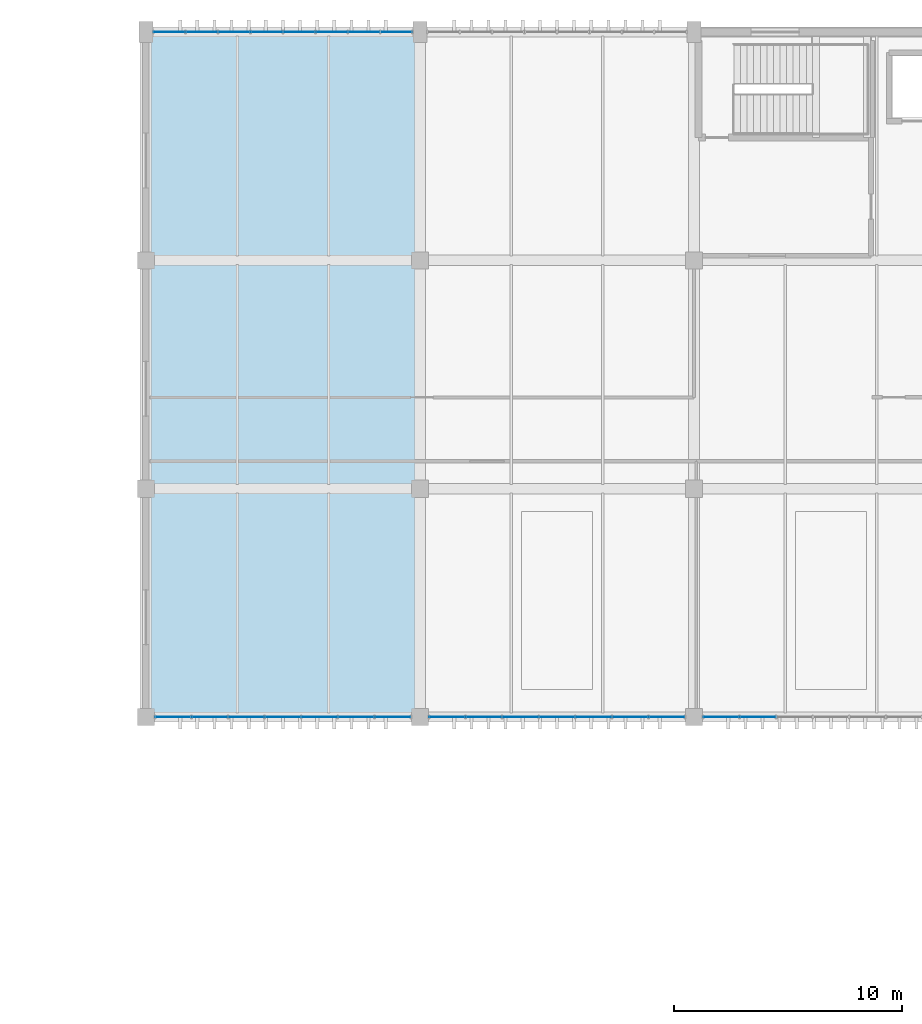
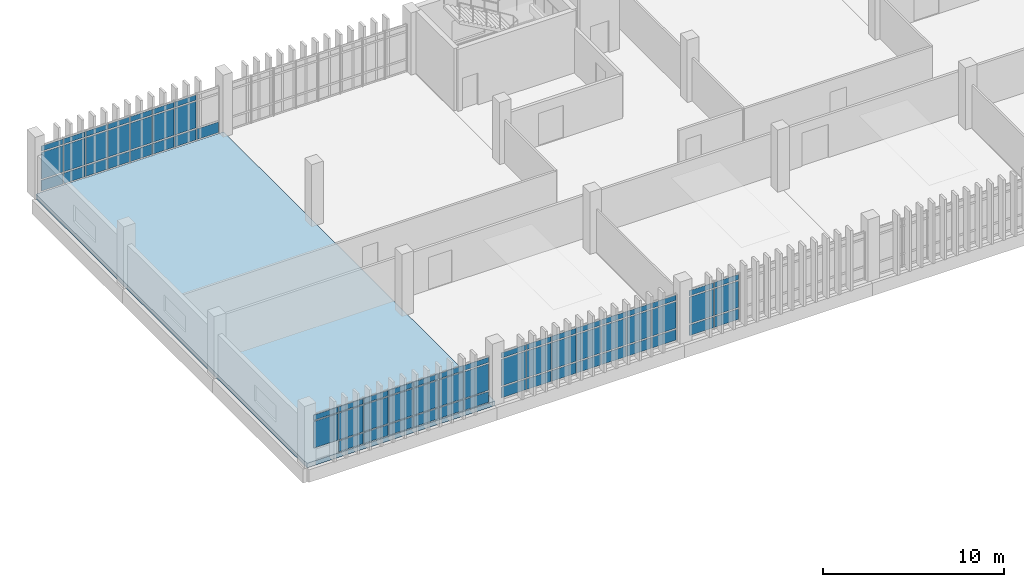
# One storey, part 93 of 111: 69 plates, 1 slab, 4 elements without a shape of their own.
"""IFC4 building model written with IfcOpenShell, lengths in metres."""

from ifc_helpers import new_model, si_unit, direction, frame, origin, origin_2d, place, context, subcontext, project, spatial, polyline, rectangle, outline, extrude, material, layer, layer_set, type_object, element, aggregate, save


model = new_model("IFC4")

# Units and contexts
model_context = context("Model", 3, precision=1e-05, world=origin(), true_north=direction((0.0, 1.0)))
body_context = subcontext(model_context, "Body", "Model", "MODEL_VIEW")
ifc_project = project(units=[si_unit("LENGTHUNIT", "METRE"), si_unit("AREAUNIT", "SQUARE_METRE"), si_unit("VOLUMEUNIT", "CUBIC_METRE"), si_unit("PLANEANGLEUNIT", "RADIAN"), si_unit("MASSUNIT", "GRAM", prefix="KILO")], contexts=[model_context])

# Site, building, storey
site_placement = place(None, origin())
site = spatial("IfcSite", under=ifc_project, at=site_placement, CompositionType="ELEMENT")
building_placement = place(site_placement, origin())
building = spatial("IfcBuilding", under=site, at=building_placement, Name="Mersad Railyard Sports Hall", CompositionType="ELEMENT")
storey_placement = place(building_placement, frame((0.0, 0.0, 9.0)))
storey = spatial("IfcBuildingStorey", under=building, at=storey_placement, Name="L02", CompositionType="ELEMENT", Elevation=9.0)

# Curtain wall, plates
ifc_material_1 = material(Name="Aluminium 6063-T6", Category="aluminium")
ifc_layer_1 = layer(ifc_material_1, 0.159912109375)
ifc_layer_set_1 = layer_set([ifc_layer_1], Name="Aluminium 6063-T6")
curtain_wall_type_1 = type_object("IfcCurtainWallType", Name="ARC-CW-CW52", PredefinedType="USERDEFINED", material=ifc_layer_set_1)
curtain_wall_1_placement = place(storey_placement, origin())
curtain_wall_1 = element("IfcCurtainWall", 1, at=curtain_wall_1_placement, inside=storey, type_object=curtain_wall_type_1, Name="Curtain wall CW52-0138", ObjectType="CURTAIN WALL", PredefinedType="USERDEFINED")
ifc_material_2 = material(Name="Solar-control glass", Category="glass")
ifc_layer_2 = layer(ifc_material_2, 0.028076171875)
ifc_layer_set_2 = layer_set([ifc_layer_2], Name="Solar-control glass")
plate_type = type_object("IfcPlateType", Name="ARC-CW-PNL01", PredefinedType="CURTAIN_PANEL", material=ifc_layer_set_2)
plate_1_placement = place(storey_placement, frame((44.030029296875, 115.0, 0.0849609375), z_axis=(0.0, 0.0, 1.0), x_axis=(1.0, 0.0, 0.0)))
plate_1 = element("IfcPlate", 2, at=plate_1_placement, type_object=plate_type, Name="CW52 Glazed panel 1-1", PredefinedType="CURTAIN_PANEL", context=body_context, shape_type="SweptSolid", body=[
    extrude(rectangle(XDim=1.3759765625, YDim=0.028076171875, at=origin_2d()), origin(), (0.0, 0.0, 1.0), 0.719970703125),
])
plate_2_placement = place(storey_placement, frame((44.030029296875, 115.0, 0.89501953125), z_axis=(0.0, 0.0, 1.0), x_axis=(1.0, 0.0, 0.0)))
plate_2 = element("IfcPlate", 3, at=plate_2_placement, type_object=plate_type, Name="CW52 Glazed panel 1-2", PredefinedType="CURTAIN_PANEL", context=body_context, shape_type="SweptSolid", body=[
    extrude(rectangle(XDim=1.3759765625, YDim=0.028076171875, at=origin_2d()), origin(), (0.0, 0.0, 1.0), 1.7900390625),
])
plate_3_placement = place(storey_placement, frame((44.030029296875, 115.0, 2.77490234375), z_axis=(0.0, 0.0, 1.0), x_axis=(1.0, 0.0, 0.0)))
plate_3 = element("IfcPlate", 4, at=plate_3_placement, type_object=plate_type, Name="CW52 Glazed panel 1-3", PredefinedType="CURTAIN_PANEL", context=body_context, shape_type="SweptSolid", body=[
    extrude(rectangle(XDim=1.3759765625, YDim=0.028076171875, at=origin_2d()), origin(), (0.0, 0.0, 1.0), 0.35009765625),
])
plate_4_placement = place(storey_placement, frame((45.449951171875, 115.0, 0.0849609375), z_axis=(0.0, 0.0, 1.0), x_axis=(1.0, 0.0, 0.0)))
plate_4 = element("IfcPlate", 5, at=plate_4_placement, type_object=plate_type, Name="CW52 Glazed panel 2-1", PredefinedType="CURTAIN_PANEL", context=body_context, shape_type="SweptSolid", body=[
    extrude(rectangle(XDim=1.3759765625, YDim=0.028076171875, at=origin_2d()), origin(), (0.0, 0.0, 1.0), 0.719970703125),
])
plate_5_placement = place(storey_placement, frame((45.449951171875, 115.0, 0.89501953125), z_axis=(0.0, 0.0, 1.0), x_axis=(1.0, 0.0, 0.0)))
plate_5 = element("IfcPlate", 6, at=plate_5_placement, type_object=plate_type, Name="CW52 Glazed panel 2-2", PredefinedType="CURTAIN_PANEL", context=body_context, shape_type="SweptSolid", body=[
    extrude(rectangle(XDim=1.3759765625, YDim=0.028076171875, at=origin_2d()), origin(), (0.0, 0.0, 1.0), 1.7900390625),
])
plate_6_placement = place(storey_placement, frame((45.449951171875, 115.0, 2.77490234375), z_axis=(0.0, 0.0, 1.0), x_axis=(1.0, 0.0, 0.0)))
plate_6 = element("IfcPlate", 7, at=plate_6_placement, type_object=plate_type, Name="CW52 Glazed panel 2-3", PredefinedType="CURTAIN_PANEL", context=body_context, shape_type="SweptSolid", body=[
    extrude(rectangle(XDim=1.3759765625, YDim=0.028076171875, at=origin_2d()), origin(), (0.0, 0.0, 1.0), 0.35009765625),
])
plate_7_placement = place(storey_placement, frame((46.8701171875, 115.0, 0.0849609375), z_axis=(0.0, 0.0, 1.0), x_axis=(1.0, 0.0, 0.0)))
plate_7 = element("IfcPlate", 8, at=plate_7_placement, type_object=plate_type, Name="CW52 Glazed panel 3-1", PredefinedType="CURTAIN_PANEL", context=body_context, shape_type="SweptSolid", body=[
    extrude(rectangle(XDim=1.3759765625, YDim=0.028076171875, at=origin_2d()), origin(), (0.0, 0.0, 1.0), 0.719970703125),
])
plate_8_placement = place(storey_placement, frame((46.8701171875, 115.0, 0.89501953125), z_axis=(0.0, 0.0, 1.0), x_axis=(1.0, 0.0, 0.0)))
plate_8 = element("IfcPlate", 9, at=plate_8_placement, type_object=plate_type, Name="CW52 Glazed panel 3-2", PredefinedType="CURTAIN_PANEL", context=body_context, shape_type="SweptSolid", body=[
    extrude(rectangle(XDim=1.3759765625, YDim=0.028076171875, at=origin_2d()), origin(), (0.0, 0.0, 1.0), 1.7900390625),
])
plate_9_placement = place(storey_placement, frame((46.8701171875, 115.0, 2.77490234375), z_axis=(0.0, 0.0, 1.0), x_axis=(1.0, 0.0, 0.0)))
plate_9 = element("IfcPlate", 10, at=plate_9_placement, type_object=plate_type, Name="CW52 Glazed panel 3-3", PredefinedType="CURTAIN_PANEL", context=body_context, shape_type="SweptSolid", body=[
    extrude(rectangle(XDim=1.3759765625, YDim=0.028076171875, at=origin_2d()), origin(), (0.0, 0.0, 1.0), 0.35009765625),
])
plate_10_placement = place(storey_placement, frame((48.2900390625, 115.0, 0.0849609375), z_axis=(0.0, 0.0, 1.0), x_axis=(1.0, 0.0, 0.0)))
plate_10 = element("IfcPlate", 11, at=plate_10_placement, type_object=plate_type, Name="CW52 Glazed panel 4-1", PredefinedType="CURTAIN_PANEL", context=body_context, shape_type="SweptSolid", body=[
    extrude(rectangle(XDim=1.3759765625, YDim=0.028076171875, at=origin_2d()), origin(), (0.0, 0.0, 1.0), 0.719970703125),
])
plate_11_placement = place(storey_placement, frame((48.2900390625, 115.0, 0.89501953125), z_axis=(0.0, 0.0, 1.0), x_axis=(1.0, 0.0, 0.0)))
plate_11 = element("IfcPlate", 12, at=plate_11_placement, type_object=plate_type, Name="CW52 Glazed panel 4-2", PredefinedType="CURTAIN_PANEL", context=body_context, shape_type="SweptSolid", body=[
    extrude(rectangle(XDim=1.3759765625, YDim=0.028076171875, at=origin_2d()), origin(), (0.0, 0.0, 1.0), 1.7900390625),
])
plate_12_placement = place(storey_placement, frame((48.2900390625, 115.0, 2.77490234375), z_axis=(0.0, 0.0, 1.0), x_axis=(1.0, 0.0, 0.0)))
plate_12 = element("IfcPlate", 13, at=plate_12_placement, type_object=plate_type, Name="CW52 Glazed panel 4-3", PredefinedType="CURTAIN_PANEL", context=body_context, shape_type="SweptSolid", body=[
    extrude(rectangle(XDim=1.3759765625, YDim=0.028076171875, at=origin_2d()), origin(), (0.0, 0.0, 1.0), 0.35009765625),
])
plate_13_placement = place(storey_placement, frame((49.7099609375, 115.0, 0.0849609375), z_axis=(0.0, 0.0, 1.0), x_axis=(1.0, 0.0, 0.0)))
plate_13 = element("IfcPlate", 14, at=plate_13_placement, type_object=plate_type, Name="CW52 Glazed panel 5-1", PredefinedType="CURTAIN_PANEL", context=body_context, shape_type="SweptSolid", body=[
    extrude(rectangle(XDim=1.3759765625, YDim=0.028076171875, at=origin_2d()), origin(), (0.0, 0.0, 1.0), 0.719970703125),
])
plate_14_placement = place(storey_placement, frame((49.7099609375, 115.0, 0.89501953125), z_axis=(0.0, 0.0, 1.0), x_axis=(1.0, 0.0, 0.0)))
plate_14 = element("IfcPlate", 15, at=plate_14_placement, type_object=plate_type, Name="CW52 Glazed panel 5-2", PredefinedType="CURTAIN_PANEL", context=body_context, shape_type="SweptSolid", body=[
    extrude(rectangle(XDim=1.3759765625, YDim=0.028076171875, at=origin_2d()), origin(), (0.0, 0.0, 1.0), 1.7900390625),
])
plate_15_placement = place(storey_placement, frame((49.7099609375, 115.0, 2.77490234375), z_axis=(0.0, 0.0, 1.0), x_axis=(1.0, 0.0, 0.0)))
plate_15 = element("IfcPlate", 16, at=plate_15_placement, type_object=plate_type, Name="CW52 Glazed panel 5-3", PredefinedType="CURTAIN_PANEL", context=body_context, shape_type="SweptSolid", body=[
    extrude(rectangle(XDim=1.3759765625, YDim=0.028076171875, at=origin_2d()), origin(), (0.0, 0.0, 1.0), 0.35009765625),
])
plate_16_placement = place(storey_placement, frame((51.1298828125, 115.0, 0.0849609375), z_axis=(0.0, 0.0, 1.0), x_axis=(1.0, 0.0, 0.0)))
plate_16 = element("IfcPlate", 17, at=plate_16_placement, type_object=plate_type, Name="CW52 Glazed panel 6-1", PredefinedType="CURTAIN_PANEL", context=body_context, shape_type="SweptSolid", body=[
    extrude(rectangle(XDim=1.3759765625, YDim=0.028076171875, at=origin_2d()), origin(), (0.0, 0.0, 1.0), 0.719970703125),
])
plate_17_placement = place(storey_placement, frame((51.1298828125, 115.0, 0.89501953125), z_axis=(0.0, 0.0, 1.0), x_axis=(1.0, 0.0, 0.0)))
plate_17 = element("IfcPlate", 18, at=plate_17_placement, type_object=plate_type, Name="CW52 Glazed panel 6-2", PredefinedType="CURTAIN_PANEL", context=body_context, shape_type="SweptSolid", body=[
    extrude(rectangle(XDim=1.3759765625, YDim=0.028076171875, at=origin_2d()), origin(), (0.0, 0.0, 1.0), 1.7900390625),
])
plate_18_placement = place(storey_placement, frame((51.1298828125, 115.0, 2.77490234375), z_axis=(0.0, 0.0, 1.0), x_axis=(1.0, 0.0, 0.0)))
plate_18 = element("IfcPlate", 19, at=plate_18_placement, type_object=plate_type, Name="CW52 Glazed panel 6-3", PredefinedType="CURTAIN_PANEL", context=body_context, shape_type="SweptSolid", body=[
    extrude(rectangle(XDim=1.3759765625, YDim=0.028076171875, at=origin_2d()), origin(), (0.0, 0.0, 1.0), 0.35009765625),
])
plate_19_placement = place(storey_placement, frame((52.550048828125, 115.0, 0.0849609375), z_axis=(0.0, 0.0, 1.0), x_axis=(1.0, 0.0, 0.0)))
plate_19 = element("IfcPlate", 20, at=plate_19_placement, type_object=plate_type, Name="CW52 Glazed panel 7-1", PredefinedType="CURTAIN_PANEL", context=body_context, shape_type="SweptSolid", body=[
    extrude(rectangle(XDim=1.3759765625, YDim=0.028076171875, at=origin_2d()), origin(), (0.0, 0.0, 1.0), 0.719970703125),
])
plate_20_placement = place(storey_placement, frame((52.550048828125, 115.0, 0.89501953125), z_axis=(0.0, 0.0, 1.0), x_axis=(1.0, 0.0, 0.0)))
plate_20 = element("IfcPlate", 21, at=plate_20_placement, type_object=plate_type, Name="CW52 Glazed panel 7-2", PredefinedType="CURTAIN_PANEL", context=body_context, shape_type="SweptSolid", body=[
    extrude(rectangle(XDim=1.3759765625, YDim=0.028076171875, at=origin_2d()), origin(), (0.0, 0.0, 1.0), 1.7900390625),
])
plate_21_placement = place(storey_placement, frame((52.550048828125, 115.0, 2.77490234375), z_axis=(0.0, 0.0, 1.0), x_axis=(1.0, 0.0, 0.0)))
plate_21 = element("IfcPlate", 22, at=plate_21_placement, type_object=plate_type, Name="CW52 Glazed panel 7-3", PredefinedType="CURTAIN_PANEL", context=body_context, shape_type="SweptSolid", body=[
    extrude(rectangle(XDim=1.3759765625, YDim=0.028076171875, at=origin_2d()), origin(), (0.0, 0.0, 1.0), 0.35009765625),
])
plate_22_placement = place(storey_placement, frame((53.969970703125, 115.0, 0.0849609375), z_axis=(0.0, 0.0, 1.0), x_axis=(1.0, 0.0, 0.0)))
plate_22 = element("IfcPlate", 23, at=plate_22_placement, type_object=plate_type, Name="CW52 Glazed panel 8-1", PredefinedType="CURTAIN_PANEL", context=body_context, shape_type="SweptSolid", body=[
    extrude(rectangle(XDim=1.3759765625, YDim=0.028076171875, at=origin_2d()), origin(), (0.0, 0.0, 1.0), 0.719970703125),
])
aggregate(curtain_wall_1, [plate_1, plate_2, plate_3, plate_4, plate_5, plate_6, plate_7, plate_8, plate_9, plate_10, plate_11, plate_12, plate_13, plate_14, plate_15, plate_16, plate_17, plate_18, plate_19, plate_20, plate_21, plate_22])

ifc_layer_3 = layer(ifc_material_1, 0.159912109375)
ifc_layer_set_3 = layer_set([ifc_layer_3], Name="Aluminium 6063-T6")
curtain_wall_type_2 = type_object("IfcCurtainWallType", Name="ARC-CW-CW54", PredefinedType="USERDEFINED", material=ifc_layer_set_3)
curtain_wall_2_placement = place(storey_placement, origin())
curtain_wall_2 = element("IfcCurtainWall", 24, at=curtain_wall_2_placement, inside=storey, type_object=curtain_wall_type_2, Name="Curtain wall CW54-0143", ObjectType="CURTAIN WALL", PredefinedType="USERDEFINED")
plate_23_placement = place(storey_placement, frame((53.80419921875, 85.0, 0.0849609375), z_axis=(0.0, 0.0, 1.0), x_axis=(-1.0, 0.0, 0.0)))
plate_23 = element("IfcPlate", 25, at=plate_23_placement, type_object=plate_type, Name="CW54 Glazed panel 1-1", PredefinedType="CURTAIN_PANEL", context=body_context, shape_type="SweptSolid", body=[
    extrude(rectangle(XDim=1.557373046875, YDim=0.028076171875, at=origin_2d()), origin(), (0.0, 0.0, 1.0), 0.719970703125),
])
plate_24_placement = place(storey_placement, frame((53.80419921875, 85.0, 0.89501953125), z_axis=(0.0, 0.0, 1.0), x_axis=(-1.0, 0.0, 0.0)))
plate_24 = element("IfcPlate", 26, at=plate_24_placement, type_object=plate_type, Name="CW54 Glazed panel 1-2", PredefinedType="CURTAIN_PANEL", context=body_context, shape_type="SweptSolid", body=[
    extrude(rectangle(XDim=1.557373046875, YDim=0.028076171875, at=origin_2d()), origin(), (0.0, 0.0, 1.0), 1.7900390625),
])
plate_25_placement = place(storey_placement, frame((53.80419921875, 85.0, 2.77490234375), z_axis=(0.0, 0.0, 1.0), x_axis=(-1.0, 0.0, 0.0)))
plate_25 = element("IfcPlate", 27, at=plate_25_placement, type_object=plate_type, Name="CW54 Glazed panel 1-3", PredefinedType="CURTAIN_PANEL", context=body_context, shape_type="SweptSolid", body=[
    extrude(rectangle(XDim=1.557373046875, YDim=0.028076171875, at=origin_2d()), origin(), (0.0, 0.0, 1.0), 0.35009765625),
])
plate_26_placement = place(storey_placement, frame((52.202880859375, 85.0, 0.0849609375), z_axis=(0.0, 0.0, 1.0), x_axis=(-1.0, 0.0, 0.0)))
plate_26 = element("IfcPlate", 28, at=plate_26_placement, type_object=plate_type, Name="CW54 Glazed panel 2-1", PredefinedType="CURTAIN_PANEL", context=body_context, shape_type="SweptSolid", body=[
    extrude(rectangle(XDim=1.557373046875, YDim=0.028076171875, at=origin_2d()), origin(), (0.0, 0.0, 1.0), 0.719970703125),
])
plate_27_placement = place(storey_placement, frame((52.202880859375, 85.0, 0.89501953125), z_axis=(0.0, 0.0, 1.0), x_axis=(-1.0, 0.0, 0.0)))
plate_27 = element("IfcPlate", 29, at=plate_27_placement, type_object=plate_type, Name="CW54 Glazed panel 2-2", PredefinedType="CURTAIN_PANEL", context=body_context, shape_type="SweptSolid", body=[
    extrude(rectangle(XDim=1.557373046875, YDim=0.028076171875, at=origin_2d()), origin(), (0.0, 0.0, 1.0), 1.7900390625),
])
plate_28_placement = place(storey_placement, frame((52.202880859375, 85.0, 2.77490234375), z_axis=(0.0, 0.0, 1.0), x_axis=(-1.0, 0.0, 0.0)))
plate_28 = element("IfcPlate", 30, at=plate_28_placement, type_object=plate_type, Name="CW54 Glazed panel 2-3", PredefinedType="CURTAIN_PANEL", context=body_context, shape_type="SweptSolid", body=[
    extrude(rectangle(XDim=1.557373046875, YDim=0.028076171875, at=origin_2d()), origin(), (0.0, 0.0, 1.0), 0.35009765625),
])
plate_29_placement = place(storey_placement, frame((50.601318359375, 85.0, 0.0849609375), z_axis=(0.0, 0.0, 1.0), x_axis=(-1.0, 0.0, 0.0)))
plate_29 = element("IfcPlate", 31, at=plate_29_placement, type_object=plate_type, Name="CW54 Glazed panel 3-1", PredefinedType="CURTAIN_PANEL", context=body_context, shape_type="SweptSolid", body=[
    extrude(rectangle(XDim=1.557373046875, YDim=0.028076171875, at=origin_2d()), origin(), (0.0, 0.0, 1.0), 0.719970703125),
])
plate_30_placement = place(storey_placement, frame((50.601318359375, 85.0, 0.89501953125), z_axis=(0.0, 0.0, 1.0), x_axis=(-1.0, 0.0, 0.0)))
plate_30 = element("IfcPlate", 32, at=plate_30_placement, type_object=plate_type, Name="CW54 Glazed panel 3-2", PredefinedType="CURTAIN_PANEL", context=body_context, shape_type="SweptSolid", body=[
    extrude(rectangle(XDim=1.557373046875, YDim=0.028076171875, at=origin_2d()), origin(), (0.0, 0.0, 1.0), 1.7900390625),
])
plate_31_placement = place(storey_placement, frame((50.601318359375, 85.0, 2.77490234375), z_axis=(0.0, 0.0, 1.0), x_axis=(-1.0, 0.0, 0.0)))
plate_31 = element("IfcPlate", 33, at=plate_31_placement, type_object=plate_type, Name="CW54 Glazed panel 3-3", PredefinedType="CURTAIN_PANEL", context=body_context, shape_type="SweptSolid", body=[
    extrude(rectangle(XDim=1.557373046875, YDim=0.028076171875, at=origin_2d()), origin(), (0.0, 0.0, 1.0), 0.35009765625),
])
plate_32_placement = place(storey_placement, frame((49.0, 85.0, 0.0849609375), z_axis=(0.0, 0.0, 1.0), x_axis=(-1.0, 0.0, 0.0)))
plate_32 = element("IfcPlate", 34, at=plate_32_placement, type_object=plate_type, Name="CW54 Glazed panel 4-1", PredefinedType="CURTAIN_PANEL", context=body_context, shape_type="SweptSolid", body=[
    extrude(rectangle(XDim=1.557373046875, YDim=0.028076171875, at=origin_2d()), origin(), (0.0, 0.0, 1.0), 0.719970703125),
])
plate_33_placement = place(storey_placement, frame((49.0, 85.0, 0.89501953125), z_axis=(0.0, 0.0, 1.0), x_axis=(-1.0, 0.0, 0.0)))
plate_33 = element("IfcPlate", 35, at=plate_33_placement, type_object=plate_type, Name="CW54 Glazed panel 4-2", PredefinedType="CURTAIN_PANEL", context=body_context, shape_type="SweptSolid", body=[
    extrude(rectangle(XDim=1.557373046875, YDim=0.028076171875, at=origin_2d()), origin(), (0.0, 0.0, 1.0), 1.7900390625),
])
plate_34_placement = place(storey_placement, frame((49.0, 85.0, 2.77490234375), z_axis=(0.0, 0.0, 1.0), x_axis=(-1.0, 0.0, 0.0)))
plate_34 = element("IfcPlate", 36, at=plate_34_placement, type_object=plate_type, Name="CW54 Glazed panel 4-3", PredefinedType="CURTAIN_PANEL", context=body_context, shape_type="SweptSolid", body=[
    extrude(rectangle(XDim=1.557373046875, YDim=0.028076171875, at=origin_2d()), origin(), (0.0, 0.0, 1.0), 0.35009765625),
])
plate_35_placement = place(storey_placement, frame((47.398681640625, 85.0, 0.0849609375), z_axis=(0.0, 0.0, 1.0), x_axis=(-1.0, 0.0, 0.0)))
plate_35 = element("IfcPlate", 37, at=plate_35_placement, type_object=plate_type, Name="CW54 Glazed panel 5-1", PredefinedType="CURTAIN_PANEL", context=body_context, shape_type="SweptSolid", body=[
    extrude(rectangle(XDim=1.557373046875, YDim=0.028076171875, at=origin_2d()), origin(), (0.0, 0.0, 1.0), 0.719970703125),
])
plate_36_placement = place(storey_placement, frame((47.398681640625, 85.0, 0.89501953125), z_axis=(0.0, 0.0, 1.0), x_axis=(-1.0, 0.0, 0.0)))
plate_36 = element("IfcPlate", 38, at=plate_36_placement, type_object=plate_type, Name="CW54 Glazed panel 5-2", PredefinedType="CURTAIN_PANEL", context=body_context, shape_type="SweptSolid", body=[
    extrude(rectangle(XDim=1.557373046875, YDim=0.028076171875, at=origin_2d()), origin(), (0.0, 0.0, 1.0), 1.7900390625),
])
plate_37_placement = place(storey_placement, frame((47.398681640625, 85.0, 2.77490234375), z_axis=(0.0, 0.0, 1.0), x_axis=(-1.0, 0.0, 0.0)))
plate_37 = element("IfcPlate", 39, at=plate_37_placement, type_object=plate_type, Name="CW54 Glazed panel 5-3", PredefinedType="CURTAIN_PANEL", context=body_context, shape_type="SweptSolid", body=[
    extrude(rectangle(XDim=1.557373046875, YDim=0.028076171875, at=origin_2d()), origin(), (0.0, 0.0, 1.0), 0.35009765625),
])
plate_38_placement = place(storey_placement, frame((45.797119140625, 85.0, 0.0849609375), z_axis=(0.0, 0.0, 1.0), x_axis=(-1.0, 0.0, 0.0)))
plate_38 = element("IfcPlate", 40, at=plate_38_placement, type_object=plate_type, Name="CW54 Glazed panel 6-1", PredefinedType="CURTAIN_PANEL", context=body_context, shape_type="SweptSolid", body=[
    extrude(rectangle(XDim=1.557373046875, YDim=0.028076171875, at=origin_2d()), origin(), (0.0, 0.0, 1.0), 0.719970703125),
])
plate_39_placement = place(storey_placement, frame((45.797119140625, 85.0, 0.89501953125), z_axis=(0.0, 0.0, 1.0), x_axis=(-1.0, 0.0, 0.0)))
plate_39 = element("IfcPlate", 41, at=plate_39_placement, type_object=plate_type, Name="CW54 Glazed panel 6-2", PredefinedType="CURTAIN_PANEL", context=body_context, shape_type="SweptSolid", body=[
    extrude(rectangle(XDim=1.557373046875, YDim=0.028076171875, at=origin_2d()), origin(), (0.0, 0.0, 1.0), 1.7900390625),
])
plate_40_placement = place(storey_placement, frame((45.797119140625, 85.0, 2.77490234375), z_axis=(0.0, 0.0, 1.0), x_axis=(-1.0, 0.0, 0.0)))
plate_40 = element("IfcPlate", 42, at=plate_40_placement, type_object=plate_type, Name="CW54 Glazed panel 6-3", PredefinedType="CURTAIN_PANEL", context=body_context, shape_type="SweptSolid", body=[
    extrude(rectangle(XDim=1.557373046875, YDim=0.028076171875, at=origin_2d()), origin(), (0.0, 0.0, 1.0), 0.35009765625),
])
plate_41_placement = place(storey_placement, frame((44.19580078125, 85.0, 0.89501953125), z_axis=(0.0, 0.0, 1.0), x_axis=(-1.0, 0.0, 0.0)))
plate_41 = element("IfcPlate", 43, at=plate_41_placement, type_object=plate_type, Name="CW54 Glazed panel 7-2", PredefinedType="CURTAIN_PANEL", context=body_context, shape_type="SweptSolid", body=[
    extrude(rectangle(XDim=1.557373046875, YDim=0.028076171875, at=origin_2d()), origin(), (0.0, 0.0, 1.0), 1.7900390625),
])
plate_42_placement = place(storey_placement, frame((44.19580078125, 85.0, 2.77490234375), z_axis=(0.0, 0.0, 1.0), x_axis=(-1.0, 0.0, 0.0)))
plate_42 = element("IfcPlate", 44, at=plate_42_placement, type_object=plate_type, Name="CW54 Glazed panel 7-3", PredefinedType="CURTAIN_PANEL", context=body_context, shape_type="SweptSolid", body=[
    extrude(rectangle(XDim=1.557373046875, YDim=0.028076171875, at=origin_2d()), origin(), (0.0, 0.0, 1.0), 0.35009765625),
])
aggregate(curtain_wall_2, [plate_23, plate_24, plate_25, plate_26, plate_27, plate_28, plate_29, plate_30, plate_31, plate_32, plate_33, plate_34, plate_35, plate_36, plate_37, plate_38, plate_39, plate_40, plate_41, plate_42])

curtain_wall_3_placement = place(storey_placement, origin())
curtain_wall_3 = element("IfcCurtainWall", 45, at=curtain_wall_3_placement, inside=storey, type_object=curtain_wall_type_2, Name="Curtain wall CW54-0144", ObjectType="CURTAIN WALL", PredefinedType="USERDEFINED")
plate_43_placement = place(storey_placement, frame((65.80419921875, 85.0, 0.0849609375), z_axis=(0.0, 0.0, 1.0), x_axis=(-1.0, 0.0, 0.0)))
plate_43 = element("IfcPlate", 46, at=plate_43_placement, type_object=plate_type, Name="CW54 Glazed panel 1-1", PredefinedType="CURTAIN_PANEL", context=body_context, shape_type="SweptSolid", body=[
    extrude(rectangle(XDim=1.557373046875, YDim=0.028076171875, at=origin_2d()), origin(), (0.0, 0.0, 1.0), 0.719970703125),
])
plate_44_placement = place(storey_placement, frame((65.80419921875, 85.0, 0.89501953125), z_axis=(0.0, 0.0, 1.0), x_axis=(-1.0, 0.0, 0.0)))
plate_44 = element("IfcPlate", 47, at=plate_44_placement, type_object=plate_type, Name="CW54 Glazed panel 1-2", PredefinedType="CURTAIN_PANEL", context=body_context, shape_type="SweptSolid", body=[
    extrude(rectangle(XDim=1.557373046875, YDim=0.028076171875, at=origin_2d()), origin(), (0.0, 0.0, 1.0), 1.7900390625),
])
plate_45_placement = place(storey_placement, frame((65.80419921875, 85.0, 2.77490234375), z_axis=(0.0, 0.0, 1.0), x_axis=(-1.0, 0.0, 0.0)))
plate_45 = element("IfcPlate", 48, at=plate_45_placement, type_object=plate_type, Name="CW54 Glazed panel 1-3", PredefinedType="CURTAIN_PANEL", context=body_context, shape_type="SweptSolid", body=[
    extrude(rectangle(XDim=1.557373046875, YDim=0.028076171875, at=origin_2d()), origin(), (0.0, 0.0, 1.0), 0.35009765625),
])
plate_46_placement = place(storey_placement, frame((64.202880859375, 85.0, 0.0849609375), z_axis=(0.0, 0.0, 1.0), x_axis=(-1.0, 0.0, 0.0)))
plate_46 = element("IfcPlate", 49, at=plate_46_placement, type_object=plate_type, Name="CW54 Glazed panel 2-1", PredefinedType="CURTAIN_PANEL", context=body_context, shape_type="SweptSolid", body=[
    extrude(rectangle(XDim=1.557373046875, YDim=0.028076171875, at=origin_2d()), origin(), (0.0, 0.0, 1.0), 0.719970703125),
])
plate_47_placement = place(storey_placement, frame((64.202880859375, 85.0, 0.89501953125), z_axis=(0.0, 0.0, 1.0), x_axis=(-1.0, 0.0, 0.0)))
plate_47 = element("IfcPlate", 50, at=plate_47_placement, type_object=plate_type, Name="CW54 Glazed panel 2-2", PredefinedType="CURTAIN_PANEL", context=body_context, shape_type="SweptSolid", body=[
    extrude(rectangle(XDim=1.557373046875, YDim=0.028076171875, at=origin_2d()), origin(), (0.0, 0.0, 1.0), 1.7900390625),
])
plate_48_placement = place(storey_placement, frame((64.202880859375, 85.0, 2.77490234375), z_axis=(0.0, 0.0, 1.0), x_axis=(-1.0, 0.0, 0.0)))
plate_48 = element("IfcPlate", 51, at=plate_48_placement, type_object=plate_type, Name="CW54 Glazed panel 2-3", PredefinedType="CURTAIN_PANEL", context=body_context, shape_type="SweptSolid", body=[
    extrude(rectangle(XDim=1.557373046875, YDim=0.028076171875, at=origin_2d()), origin(), (0.0, 0.0, 1.0), 0.35009765625),
])
plate_49_placement = place(storey_placement, frame((62.601318359375, 85.0, 0.0849609375), z_axis=(0.0, 0.0, 1.0), x_axis=(-1.0, 0.0, 0.0)))
plate_49 = element("IfcPlate", 52, at=plate_49_placement, type_object=plate_type, Name="CW54 Glazed panel 3-1", PredefinedType="CURTAIN_PANEL", context=body_context, shape_type="SweptSolid", body=[
    extrude(rectangle(XDim=1.557373046875, YDim=0.028076171875, at=origin_2d()), origin(), (0.0, 0.0, 1.0), 0.719970703125),
])
plate_50_placement = place(storey_placement, frame((62.601318359375, 85.0, 0.89501953125), z_axis=(0.0, 0.0, 1.0), x_axis=(-1.0, 0.0, 0.0)))
plate_50 = element("IfcPlate", 53, at=plate_50_placement, type_object=plate_type, Name="CW54 Glazed panel 3-2", PredefinedType="CURTAIN_PANEL", context=body_context, shape_type="SweptSolid", body=[
    extrude(rectangle(XDim=1.557373046875, YDim=0.028076171875, at=origin_2d()), origin(), (0.0, 0.0, 1.0), 1.7900390625),
])
plate_51_placement = place(storey_placement, frame((62.601318359375, 85.0, 2.77490234375), z_axis=(0.0, 0.0, 1.0), x_axis=(-1.0, 0.0, 0.0)))
plate_51 = element("IfcPlate", 54, at=plate_51_placement, type_object=plate_type, Name="CW54 Glazed panel 3-3", PredefinedType="CURTAIN_PANEL", context=body_context, shape_type="SweptSolid", body=[
    extrude(rectangle(XDim=1.557373046875, YDim=0.028076171875, at=origin_2d()), origin(), (0.0, 0.0, 1.0), 0.35009765625),
])
plate_52_placement = place(storey_placement, frame((61.0, 85.0, 0.0849609375), z_axis=(0.0, 0.0, 1.0), x_axis=(-1.0, 0.0, 0.0)))
plate_52 = element("IfcPlate", 55, at=plate_52_placement, type_object=plate_type, Name="CW54 Glazed panel 4-1", PredefinedType="CURTAIN_PANEL", context=body_context, shape_type="SweptSolid", body=[
    extrude(rectangle(XDim=1.557373046875, YDim=0.028076171875, at=origin_2d()), origin(), (0.0, 0.0, 1.0), 0.719970703125),
])
plate_53_placement = place(storey_placement, frame((61.0, 85.0, 0.89501953125), z_axis=(0.0, 0.0, 1.0), x_axis=(-1.0, 0.0, 0.0)))
plate_53 = element("IfcPlate", 56, at=plate_53_placement, type_object=plate_type, Name="CW54 Glazed panel 4-2", PredefinedType="CURTAIN_PANEL", context=body_context, shape_type="SweptSolid", body=[
    extrude(rectangle(XDim=1.557373046875, YDim=0.028076171875, at=origin_2d()), origin(), (0.0, 0.0, 1.0), 1.7900390625),
])
plate_54_placement = place(storey_placement, frame((61.0, 85.0, 2.77490234375), z_axis=(0.0, 0.0, 1.0), x_axis=(-1.0, 0.0, 0.0)))
plate_54 = element("IfcPlate", 57, at=plate_54_placement, type_object=plate_type, Name="CW54 Glazed panel 4-3", PredefinedType="CURTAIN_PANEL", context=body_context, shape_type="SweptSolid", body=[
    extrude(rectangle(XDim=1.557373046875, YDim=0.028076171875, at=origin_2d()), origin(), (0.0, 0.0, 1.0), 0.35009765625),
])
plate_55_placement = place(storey_placement, frame((59.398681640625, 85.0, 0.0849609375), z_axis=(0.0, 0.0, 1.0), x_axis=(-1.0, 0.0, 0.0)))
plate_55 = element("IfcPlate", 58, at=plate_55_placement, type_object=plate_type, Name="CW54 Glazed panel 5-1", PredefinedType="CURTAIN_PANEL", context=body_context, shape_type="SweptSolid", body=[
    extrude(rectangle(XDim=1.557373046875, YDim=0.028076171875, at=origin_2d()), origin(), (0.0, 0.0, 1.0), 0.719970703125),
])
plate_56_placement = place(storey_placement, frame((59.398681640625, 85.0, 0.89501953125), z_axis=(0.0, 0.0, 1.0), x_axis=(-1.0, 0.0, 0.0)))
plate_56 = element("IfcPlate", 59, at=plate_56_placement, type_object=plate_type, Name="CW54 Glazed panel 5-2", PredefinedType="CURTAIN_PANEL", context=body_context, shape_type="SweptSolid", body=[
    extrude(rectangle(XDim=1.557373046875, YDim=0.028076171875, at=origin_2d()), origin(), (0.0, 0.0, 1.0), 1.7900390625),
])
plate_57_placement = place(storey_placement, frame((59.398681640625, 85.0, 2.77490234375), z_axis=(0.0, 0.0, 1.0), x_axis=(-1.0, 0.0, 0.0)))
plate_57 = element("IfcPlate", 60, at=plate_57_placement, type_object=plate_type, Name="CW54 Glazed panel 5-3", PredefinedType="CURTAIN_PANEL", context=body_context, shape_type="SweptSolid", body=[
    extrude(rectangle(XDim=1.557373046875, YDim=0.028076171875, at=origin_2d()), origin(), (0.0, 0.0, 1.0), 0.35009765625),
])
plate_58_placement = place(storey_placement, frame((57.797119140625, 85.0, 0.0849609375), z_axis=(0.0, 0.0, 1.0), x_axis=(-1.0, 0.0, 0.0)))
plate_58 = element("IfcPlate", 61, at=plate_58_placement, type_object=plate_type, Name="CW54 Glazed panel 6-1", PredefinedType="CURTAIN_PANEL", context=body_context, shape_type="SweptSolid", body=[
    extrude(rectangle(XDim=1.557373046875, YDim=0.028076171875, at=origin_2d()), origin(), (0.0, 0.0, 1.0), 0.719970703125),
])
plate_59_placement = place(storey_placement, frame((57.797119140625, 85.0, 0.89501953125), z_axis=(0.0, 0.0, 1.0), x_axis=(-1.0, 0.0, 0.0)))
plate_59 = element("IfcPlate", 62, at=plate_59_placement, type_object=plate_type, Name="CW54 Glazed panel 6-2", PredefinedType="CURTAIN_PANEL", context=body_context, shape_type="SweptSolid", body=[
    extrude(rectangle(XDim=1.557373046875, YDim=0.028076171875, at=origin_2d()), origin(), (0.0, 0.0, 1.0), 1.7900390625),
])
plate_60_placement = place(storey_placement, frame((57.797119140625, 85.0, 2.77490234375), z_axis=(0.0, 0.0, 1.0), x_axis=(-1.0, 0.0, 0.0)))
plate_60 = element("IfcPlate", 63, at=plate_60_placement, type_object=plate_type, Name="CW54 Glazed panel 6-3", PredefinedType="CURTAIN_PANEL", context=body_context, shape_type="SweptSolid", body=[
    extrude(rectangle(XDim=1.557373046875, YDim=0.028076171875, at=origin_2d()), origin(), (0.0, 0.0, 1.0), 0.35009765625),
])
plate_61_placement = place(storey_placement, frame((56.19580078125, 85.0, 0.0849609375), z_axis=(0.0, 0.0, 1.0), x_axis=(-1.0, 0.0, 0.0)))
plate_61 = element("IfcPlate", 64, at=plate_61_placement, type_object=plate_type, Name="CW54 Glazed panel 7-1", PredefinedType="CURTAIN_PANEL", context=body_context, shape_type="SweptSolid", body=[
    extrude(rectangle(XDim=1.557373046875, YDim=0.028076171875, at=origin_2d()), origin(), (0.0, 0.0, 1.0), 0.719970703125),
])
plate_62_placement = place(storey_placement, frame((56.19580078125, 85.0, 0.89501953125), z_axis=(0.0, 0.0, 1.0), x_axis=(-1.0, 0.0, 0.0)))
plate_62 = element("IfcPlate", 65, at=plate_62_placement, type_object=plate_type, Name="CW54 Glazed panel 7-2", PredefinedType="CURTAIN_PANEL", context=body_context, shape_type="SweptSolid", body=[
    extrude(rectangle(XDim=1.557373046875, YDim=0.028076171875, at=origin_2d()), origin(), (0.0, 0.0, 1.0), 1.7900390625),
])
plate_63_placement = place(storey_placement, frame((56.19580078125, 85.0, 2.77490234375), z_axis=(0.0, 0.0, 1.0), x_axis=(-1.0, 0.0, 0.0)))
plate_63 = element("IfcPlate", 66, at=plate_63_placement, type_object=plate_type, Name="CW54 Glazed panel 7-3", PredefinedType="CURTAIN_PANEL", context=body_context, shape_type="SweptSolid", body=[
    extrude(rectangle(XDim=1.557373046875, YDim=0.028076171875, at=origin_2d()), origin(), (0.0, 0.0, 1.0), 0.35009765625),
])
aggregate(curtain_wall_3, [plate_43, plate_44, plate_45, plate_46, plate_47, plate_48, plate_49, plate_50, plate_51, plate_52, plate_53, plate_54, plate_55, plate_56, plate_57, plate_58, plate_59, plate_60, plate_61, plate_62, plate_63])

curtain_wall_4_placement = place(storey_placement, origin())
curtain_wall_4 = element("IfcCurtainWall", 67, at=curtain_wall_4_placement, inside=storey, type_object=curtain_wall_type_2, Name="Curtain wall CW54-0145", ObjectType="CURTAIN WALL", PredefinedType="USERDEFINED")
plate_64_placement = place(storey_placement, frame((69.797119140625, 85.0, 0.0849609375), z_axis=(0.0, 0.0, 1.0), x_axis=(-1.0, 0.0, 0.0)))
plate_64 = element("IfcPlate", 68, at=plate_64_placement, type_object=plate_type, Name="CW54 Glazed panel 6-1", PredefinedType="CURTAIN_PANEL", context=body_context, shape_type="SweptSolid", body=[
    extrude(rectangle(XDim=1.557373046875, YDim=0.028076171875, at=origin_2d()), origin(), (0.0, 0.0, 1.0), 0.719970703125),
])
plate_65_placement = place(storey_placement, frame((69.797119140625, 85.0, 0.89501953125), z_axis=(0.0, 0.0, 1.0), x_axis=(-1.0, 0.0, 0.0)))
plate_65 = element("IfcPlate", 69, at=plate_65_placement, type_object=plate_type, Name="CW54 Glazed panel 6-2", PredefinedType="CURTAIN_PANEL", context=body_context, shape_type="SweptSolid", body=[
    extrude(rectangle(XDim=1.557373046875, YDim=0.028076171875, at=origin_2d()), origin(), (0.0, 0.0, 1.0), 1.7900390625),
])
plate_66_placement = place(storey_placement, frame((69.797119140625, 85.0, 2.77490234375), z_axis=(0.0, 0.0, 1.0), x_axis=(-1.0, 0.0, 0.0)))
plate_66 = element("IfcPlate", 70, at=plate_66_placement, type_object=plate_type, Name="CW54 Glazed panel 6-3", PredefinedType="CURTAIN_PANEL", context=body_context, shape_type="SweptSolid", body=[
    extrude(rectangle(XDim=1.557373046875, YDim=0.028076171875, at=origin_2d()), origin(), (0.0, 0.0, 1.0), 0.35009765625),
])
plate_67_placement = place(storey_placement, frame((68.19580078125, 85.0, 0.0849609375), z_axis=(0.0, 0.0, 1.0), x_axis=(-1.0, 0.0, 0.0)))
plate_67 = element("IfcPlate", 71, at=plate_67_placement, type_object=plate_type, Name="CW54 Glazed panel 7-1", PredefinedType="CURTAIN_PANEL", context=body_context, shape_type="SweptSolid", body=[
    extrude(rectangle(XDim=1.557373046875, YDim=0.028076171875, at=origin_2d()), origin(), (0.0, 0.0, 1.0), 0.719970703125),
])
plate_68_placement = place(storey_placement, frame((68.19580078125, 85.0, 0.89501953125), z_axis=(0.0, 0.0, 1.0), x_axis=(-1.0, 0.0, 0.0)))
plate_68 = element("IfcPlate", 72, at=plate_68_placement, type_object=plate_type, Name="CW54 Glazed panel 7-2", PredefinedType="CURTAIN_PANEL", context=body_context, shape_type="SweptSolid", body=[
    extrude(rectangle(XDim=1.557373046875, YDim=0.028076171875, at=origin_2d()), origin(), (0.0, 0.0, 1.0), 1.7900390625),
])
plate_69_placement = place(storey_placement, frame((68.19580078125, 85.0, 2.77490234375), z_axis=(0.0, 0.0, 1.0), x_axis=(-1.0, 0.0, 0.0)))
plate_69 = element("IfcPlate", 73, at=plate_69_placement, type_object=plate_type, Name="CW54 Glazed panel 7-3", PredefinedType="CURTAIN_PANEL", context=body_context, shape_type="SweptSolid", body=[
    extrude(rectangle(XDim=1.557373046875, YDim=0.028076171875, at=origin_2d()), origin(), (0.0, 0.0, 1.0), 0.35009765625),
])
aggregate(curtain_wall_4, [plate_64, plate_65, plate_66, plate_67, plate_68, plate_69])

# Slab
ifc_material_3 = material(Name="Concrete C40/50", Category="concrete")
ifc_layer_4 = layer(ifc_material_3, 0.300048828125)
ifc_layer_set_4 = layer_set([ifc_layer_4], Name="Concrete C40/50")
slab_type = type_object("IfcSlabType", Name="STR-SL-FL03", PredefinedType="FLOOR", material=ifc_layer_set_4)
slab_placement = place(storey_placement, frame((0.0, 0.0, -0.300048828125)))
element("IfcSlab", 74, at=slab_placement, inside=storey, type_object=slab_type, Name="Slab SL03-0085", PredefinedType="FLOOR", context=body_context, shape_type="SweptSolid", body=[
    extrude(outline(polyline([(43.0, 85.0), (55.0, 85.0), (55.0, 115.0), (43.0, 115.0), (43.0, 85.0)])), origin(), (0.0, 0.0, 1.0), 0.300048828125),
])

save(model, "model.ifc")
